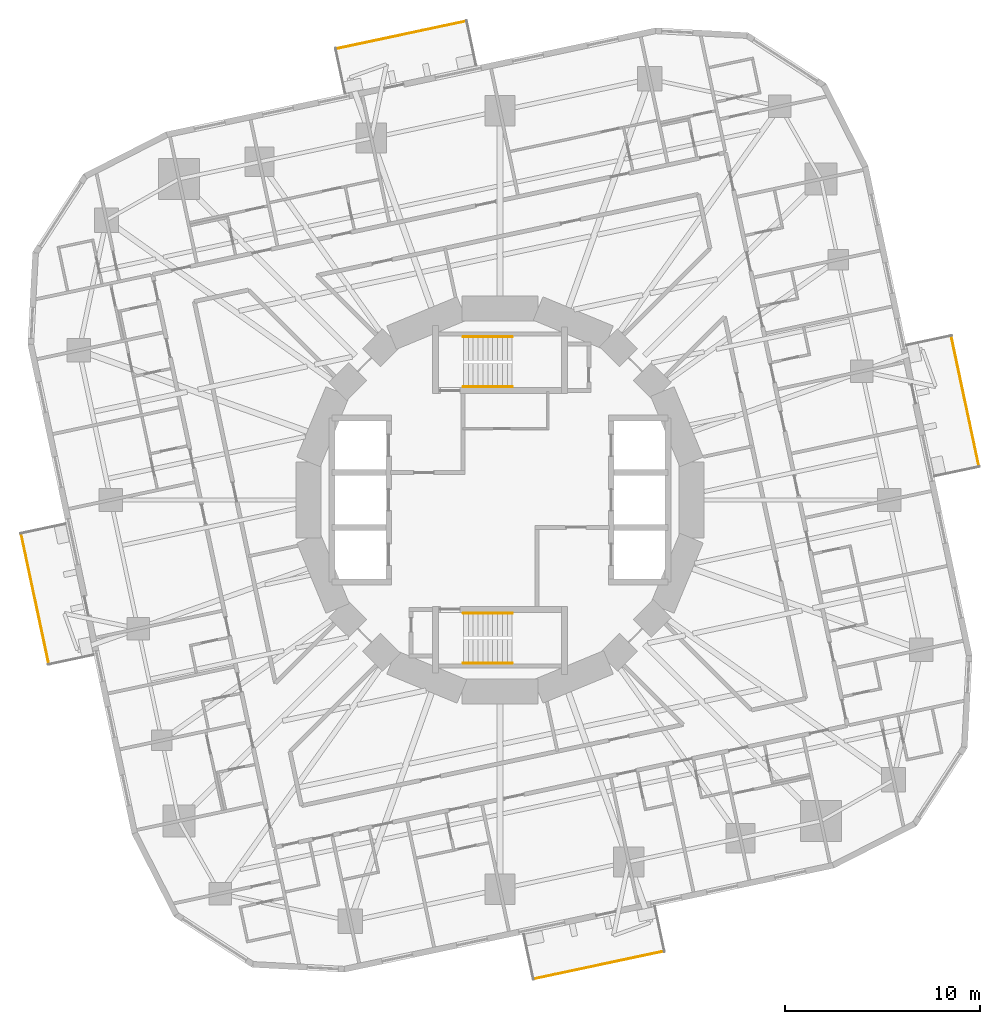
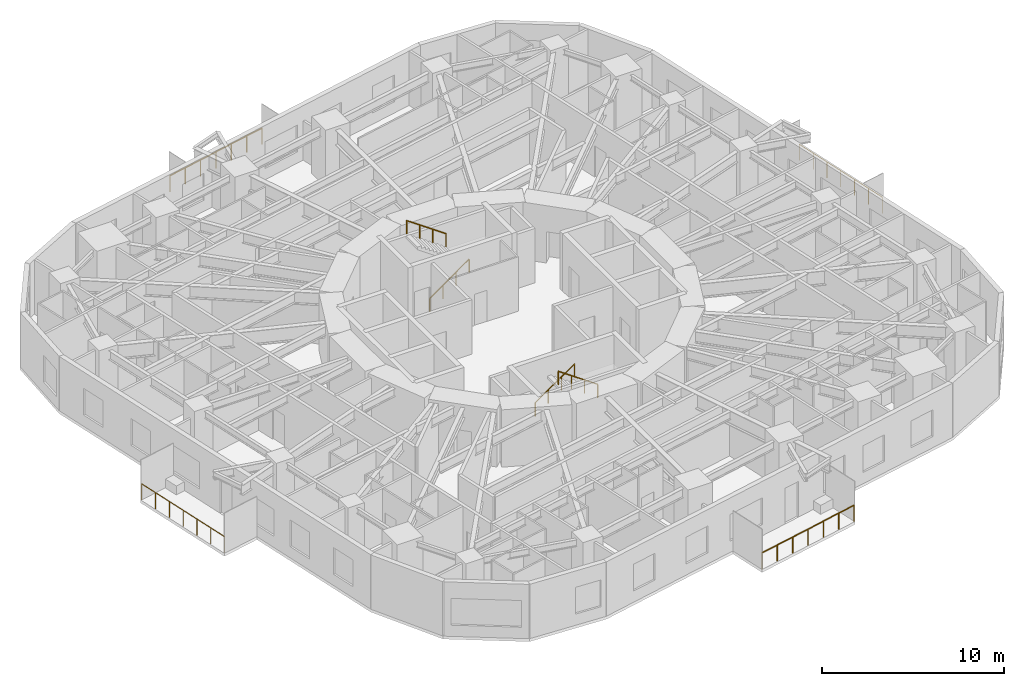
# One storey, part 13 of 14: 8 railings.
"""IFC4 building model written with IfcOpenShell, lengths in metres."""

from ifc_helpers import new_model, si_unit, direction, frame, origin, origin_2d, place, context, subcontext, project, spatial, circle, extrude, material, type_object, element, save


model = new_model("IFC4")

# Units and contexts
model_context = context("Model", 3, precision=1e-05, world=origin(), true_north=direction((0.0, 1.0)))
body_context = subcontext(model_context, "Body", "Model", "MODEL_VIEW")
ifc_project = project(units=[si_unit("LENGTHUNIT", "METRE"), si_unit("AREAUNIT", "SQUARE_METRE"), si_unit("VOLUMEUNIT", "CUBIC_METRE"), si_unit("PLANEANGLEUNIT", "RADIAN"), si_unit("MASSUNIT", "GRAM", prefix="KILO")], contexts=[model_context])

# Site, building, storey
site_placement = place(None, origin())
site = spatial("IfcSite", under=ifc_project, at=site_placement, CompositionType="ELEMENT")
building_placement = place(site_placement, origin())
building = spatial("IfcBuilding", under=site, at=building_placement, Name="Nakasero Lantern House", CompositionType="ELEMENT")
storey_placement = place(building_placement, frame((0.0, 0.0, 116.550048828125)))
storey = spatial("IfcBuildingStorey", under=building, at=storey_placement, Name="L28", CompositionType="ELEMENT", Elevation=116.550048828125)

# Railings
ifc_material_1 = material(Name="Aluminium 6063-T6", Category="aluminium")
railing_type_1 = type_object("IfcRailingType", Name="Balcony guard 1100", PredefinedType="BALUSTRADE", material=ifc_material_1)
railing_1_placement = place(storey_placement, frame((24.52685546875, 1.72705078125, 0.0)))
element("IfcRailing", 1, at=railing_1_placement, inside=storey, type_object=railing_type_1, Name="Balcony guard L28 BAL0", PredefinedType="BALUSTRADE", context=body_context, shape_type="SweptSolid", body=[
    extrude(circle(Radius=0.02392578125, at=origin_2d()), frame((0.0, 0.0, 1.076171875), z_axis=(-0.207907990246, 0.978148387307, 0.0), x_axis=(-0.978148387307, -0.207907990246, 0.0)), (0.0, 0.0, 1.0), 6.820068359375),
    extrude(circle(Radius=0.02099609375, at=origin_2d()), origin(), (0.0, 0.0, 1.0), 1.052001953125),
    extrude(circle(Radius=0.02099609375, at=origin_2d()), frame((-0.236328125, 1.11181640625, 0.0)), (0.0, 0.0, 1.0), 1.052001953125),
    extrude(circle(Radius=0.02099609375, at=origin_2d()), frame((-0.47265625, 2.2236328125, 0.0)), (0.0, 0.0, 1.0), 1.052001953125),
    extrude(circle(Radius=0.02099609375, at=origin_2d()), frame((-0.708984375, 3.33544921875, 0.0)), (0.0, 0.0, 1.0), 1.052001953125),
    extrude(circle(Radius=0.02099609375, at=origin_2d()), frame((-0.9453125, 4.447509765625, 0.0)), (0.0, 0.0, 1.0), 1.052001953125),
    extrude(circle(Radius=0.02099609375, at=origin_2d()), frame((-1.181640625, 5.559326171875, 0.0)), (0.0, 0.0, 1.0), 1.052001953125),
    extrude(circle(Radius=0.02099609375, at=origin_2d()), frame((-1.41796875, 6.671142578125, 0.0)), (0.0, 0.0, 1.0), 1.052001953125),
])
railing_2_placement = place(storey_placement, frame((-1.72705078125, 24.52685546875, 0.0)))
element("IfcRailing", 2, at=railing_2_placement, inside=storey, type_object=railing_type_1, Name="Balcony guard L28 BAL1", PredefinedType="BALUSTRADE", context=body_context, shape_type="SweptSolid", body=[
    extrude(circle(Radius=0.02392578125, at=origin_2d()), frame((0.0, 0.0, 1.076171875), z_axis=(-0.978148387307, -0.207907990246, 0.0), x_axis=(0.207907990246, -0.978148387307, 0.0)), (0.0, 0.0, 1.0), 6.820068359375),
    extrude(circle(Radius=0.02099609375, at=origin_2d()), origin(), (0.0, 0.0, 1.0), 1.052001953125),
    extrude(circle(Radius=0.02099609375, at=origin_2d()), frame((-1.11181640625, -0.236328125, 0.0)), (0.0, 0.0, 1.0), 1.052001953125),
    extrude(circle(Radius=0.02099609375, at=origin_2d()), frame((-2.2236328125, -0.47265625, 0.0)), (0.0, 0.0, 1.0), 1.052001953125),
    extrude(circle(Radius=0.02099609375, at=origin_2d()), frame((-3.33544921875, -0.708984375, 0.0)), (0.0, 0.0, 1.0), 1.052001953125),
    extrude(circle(Radius=0.02099609375, at=origin_2d()), frame((-4.447509765625, -0.9453125, 0.0)), (0.0, 0.0, 1.0), 1.052001953125),
    extrude(circle(Radius=0.02099609375, at=origin_2d()), frame((-5.559326171875, -1.181640625, 0.0)), (0.0, 0.0, 1.0), 1.052001953125),
    extrude(circle(Radius=0.02099609375, at=origin_2d()), frame((-6.671142578125, -1.41796875, 0.0)), (0.0, 0.0, 1.0), 1.052001953125),
])
railing_3_placement = place(storey_placement, frame((-24.52685546875, -1.72705078125, 0.0)))
element("IfcRailing", 3, at=railing_3_placement, inside=storey, type_object=railing_type_1, Name="Balcony guard L28 BAL2", PredefinedType="BALUSTRADE", context=body_context, shape_type="SweptSolid", body=[
    extrude(circle(Radius=0.02392578125, at=origin_2d()), frame((0.0, 0.0, 1.076171875), z_axis=(0.207907990246, -0.978148387307, 0.0), x_axis=(0.978148387307, 0.207907990246, 0.0)), (0.0, 0.0, 1.0), 6.820068359375),
    extrude(circle(Radius=0.02099609375, at=origin_2d()), origin(), (0.0, 0.0, 1.0), 1.052001953125),
    extrude(circle(Radius=0.02099609375, at=origin_2d()), frame((0.236328125, -1.11181640625, 0.0)), (0.0, 0.0, 1.0), 1.052001953125),
    extrude(circle(Radius=0.02099609375, at=origin_2d()), frame((0.47265625, -2.2236328125, 0.0)), (0.0, 0.0, 1.0), 1.052001953125),
    extrude(circle(Radius=0.02099609375, at=origin_2d()), frame((0.708984375, -3.33544921875, 0.0)), (0.0, 0.0, 1.0), 1.052001953125),
    extrude(circle(Radius=0.02099609375, at=origin_2d()), frame((0.9453125, -4.447509765625, 0.0)), (0.0, 0.0, 1.0), 1.052001953125),
    extrude(circle(Radius=0.02099609375, at=origin_2d()), frame((1.181640625, -5.559326171875, 0.0)), (0.0, 0.0, 1.0), 1.052001953125),
    extrude(circle(Radius=0.02099609375, at=origin_2d()), frame((1.41796875, -6.671142578125, 0.0)), (0.0, 0.0, 1.0), 1.052001953125),
])
railing_4_placement = place(storey_placement, frame((1.72705078125, -24.52685546875, 0.0)))
element("IfcRailing", 4, at=railing_4_placement, inside=storey, type_object=railing_type_1, Name="Balcony guard L28 BAL3", PredefinedType="BALUSTRADE", context=body_context, shape_type="SweptSolid", body=[
    extrude(circle(Radius=0.02392578125, at=origin_2d()), frame((0.0, 0.0, 1.076171875), z_axis=(0.978148387307, 0.207907990246, 0.0), x_axis=(-0.207907990246, 0.978148387307, 0.0)), (0.0, 0.0, 1.0), 6.820068359375),
    extrude(circle(Radius=0.02099609375, at=origin_2d()), origin(), (0.0, 0.0, 1.0), 1.052001953125),
    extrude(circle(Radius=0.02099609375, at=origin_2d()), frame((1.11181640625, 0.236328125, 0.0)), (0.0, 0.0, 1.0), 1.052001953125),
    extrude(circle(Radius=0.02099609375, at=origin_2d()), frame((2.2236328125, 0.47265625, 0.0)), (0.0, 0.0, 1.0), 1.052001953125),
    extrude(circle(Radius=0.02099609375, at=origin_2d()), frame((3.33544921875, 0.708984375, 0.0)), (0.0, 0.0, 1.0), 1.052001953125),
    extrude(circle(Radius=0.02099609375, at=origin_2d()), frame((4.447509765625, 0.9453125, 0.0)), (0.0, 0.0, 1.0), 1.052001953125),
    extrude(circle(Radius=0.02099609375, at=origin_2d()), frame((5.559326171875, 1.181640625, 0.0)), (0.0, 0.0, 1.0), 1.052001953125),
    extrude(circle(Radius=0.02099609375, at=origin_2d()), frame((6.671142578125, 1.41796875, 0.0)), (0.0, 0.0, 1.0), 1.052001953125),
])
ifc_material_2 = material(Name="Stainless steel 316", Category="steel")
railing_type_2 = type_object("IfcRailingType", Name="Stair handrail 900", PredefinedType="HANDRAIL", material=ifc_material_2)
railing_5_placement = place(storey_placement, frame((-1.875, 5.800048828125, 0.175048828125)))
element("IfcRailing", 5, at=railing_5_placement, inside=storey, type_object=railing_type_2, Name="Handrail ST1 L28 flight 1", PredefinedType="HANDRAIL", context=body_context, shape_type="SweptSolid", body=[
    extrude(circle(Radius=0.02392578125, at=origin_2d()), frame((0.0, 0.0, 0.8759765625), z_axis=(0.819231920519, 0.0, 0.573462344363), x_axis=(0.0, 1.0, 0.0)), (0.0, 0.0, 1.0), 3.0517578125),
    extrude(circle(Radius=0.02099609375, at=origin_2d()), origin(), (0.0, 0.0, 1.0), 0.851806640625),
    extrude(circle(Radius=0.02099609375, at=origin_2d()), frame((0.833251953125, 0.0, 0.583251953125)), (0.0, 0.0, 1.0), 0.851806640625),
    extrude(circle(Radius=0.02099609375, at=origin_2d()), frame((1.666748046875, 0.0, 1.166748046875)), (0.0, 0.0, 1.0), 0.851806640625),
    extrude(circle(Radius=0.02099609375, at=origin_2d()), frame((2.5, 0.0, 1.75)), (0.0, 0.0, 1.0), 0.851806640625),
])
railing_6_placement = place(storey_placement, frame((0.625, 8.35009765625, 2.099853515625)))
element("IfcRailing", 6, at=railing_6_placement, inside=storey, type_object=railing_type_2, Name="Handrail ST1 L28 flight 2", PredefinedType="HANDRAIL", context=body_context, shape_type="SweptSolid", body=[
    extrude(circle(Radius=0.02392578125, at=origin_2d()), frame((0.0, 0.0, 0.8759765625), z_axis=(-0.819231920519, 0.0, 0.573462344363), x_axis=(0.0, -1.0, 0.0)), (0.0, 0.0, 1.0), 3.0517578125),
    extrude(circle(Radius=0.02099609375, at=origin_2d()), origin(), (0.0, 0.0, 1.0), 0.851806640625),
    extrude(circle(Radius=0.02099609375, at=origin_2d()), frame((-0.833251953125, 0.0, 0.583251953125)), (0.0, 0.0, 1.0), 0.851806640625),
    extrude(circle(Radius=0.02099609375, at=origin_2d()), frame((-1.666748046875, 0.0, 1.166748046875)), (0.0, 0.0, 1.0), 0.851806640625),
    extrude(circle(Radius=0.02099609375, at=origin_2d()), frame((-2.5, 0.0, 1.75)), (0.0, 0.0, 1.0), 0.851806640625),
])
railing_7_placement = place(storey_placement, frame((-1.875, -5.800048828125, 0.175048828125)))
element("IfcRailing", 7, at=railing_7_placement, inside=storey, type_object=railing_type_2, Name="Handrail ST2 L28 flight 1", PredefinedType="HANDRAIL", context=body_context, shape_type="SweptSolid", body=[
    extrude(circle(Radius=0.02392578125, at=origin_2d()), frame((0.0, 0.0, 0.8759765625), z_axis=(0.819231920519, 0.0, 0.573462344363), x_axis=(0.0, 1.0, 0.0)), (0.0, 0.0, 1.0), 3.0517578125),
    extrude(circle(Radius=0.02099609375, at=origin_2d()), origin(), (0.0, 0.0, 1.0), 0.851806640625),
    extrude(circle(Radius=0.02099609375, at=origin_2d()), frame((0.833251953125, 0.0, 0.583251953125)), (0.0, 0.0, 1.0), 0.851806640625),
    extrude(circle(Radius=0.02099609375, at=origin_2d()), frame((1.666748046875, 0.0, 1.166748046875)), (0.0, 0.0, 1.0), 0.851806640625),
    extrude(circle(Radius=0.02099609375, at=origin_2d()), frame((2.5, 0.0, 1.75)), (0.0, 0.0, 1.0), 0.851806640625),
])
railing_8_placement = place(storey_placement, frame((0.625, -8.35009765625, 2.099853515625)))
element("IfcRailing", 8, at=railing_8_placement, inside=storey, type_object=railing_type_2, Name="Handrail ST2 L28 flight 2", PredefinedType="HANDRAIL", context=body_context, shape_type="SweptSolid", body=[
    extrude(circle(Radius=0.02392578125, at=origin_2d()), frame((0.0, 0.0, 0.8759765625), z_axis=(-0.819231920519, 0.0, 0.573462344363), x_axis=(0.0, -1.0, 0.0)), (0.0, 0.0, 1.0), 3.0517578125),
    extrude(circle(Radius=0.02099609375, at=origin_2d()), origin(), (0.0, 0.0, 1.0), 0.851806640625),
    extrude(circle(Radius=0.02099609375, at=origin_2d()), frame((-0.833251953125, 0.0, 0.583251953125)), (0.0, 0.0, 1.0), 0.851806640625),
    extrude(circle(Radius=0.02099609375, at=origin_2d()), frame((-1.666748046875, 0.0, 1.166748046875)), (0.0, 0.0, 1.0), 0.851806640625),
    extrude(circle(Radius=0.02099609375, at=origin_2d()), frame((-2.5, 0.0, 1.75)), (0.0, 0.0, 1.0), 0.851806640625),
])

save(model, "model.ifc")
